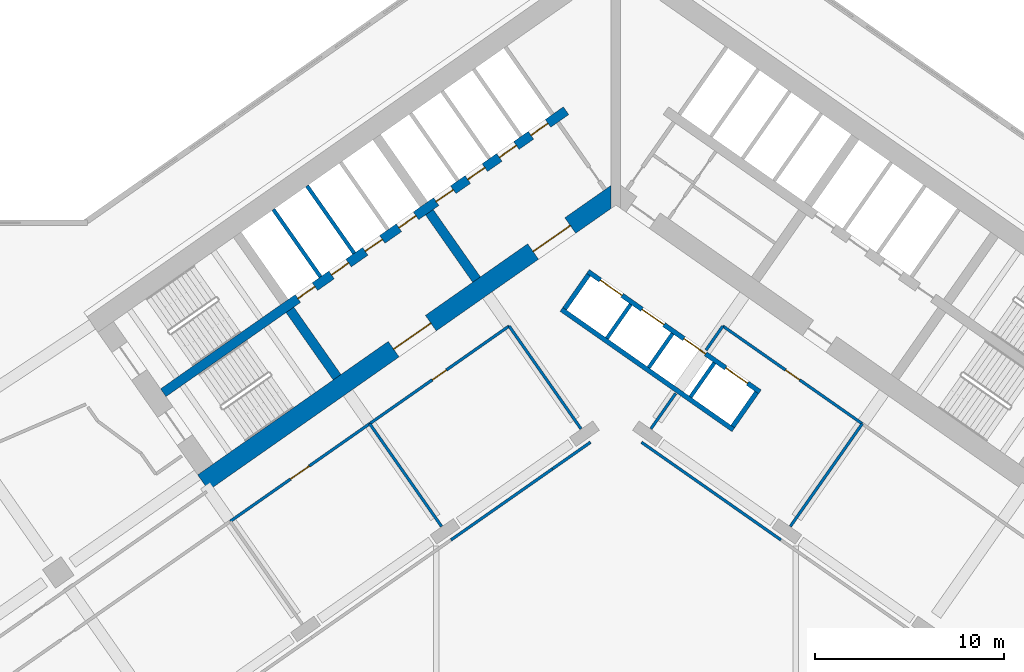
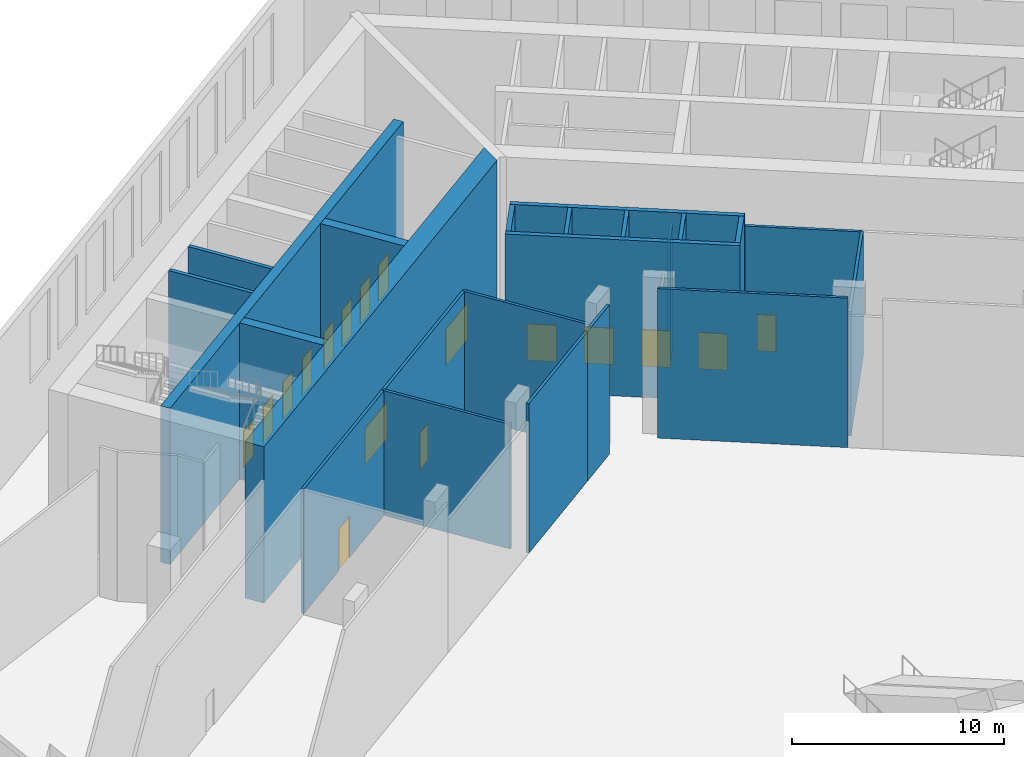
# One storey, part 10 of 27: 24 walls, 17 doors, 17 openings.
"""IFC4 building model written with IfcOpenShell, lengths in metres."""

from ifc_helpers import new_model, si_unit, direction, frame, frame_2d, origin, place, context, subcontext, project, spatial, polyline, rectangle, outline, extrude, material, layer, layer_set, type_object, element, fill, save


model = new_model("IFC4")

# Units and contexts
model_context = context("Model", 3, precision=1e-05, world=origin(), true_north=direction((0.0, 1.0)))
body_context = subcontext(model_context, "Body", "Model", "MODEL_VIEW")
ifc_project = project(units=[si_unit("LENGTHUNIT", "METRE"), si_unit("AREAUNIT", "SQUARE_METRE"), si_unit("VOLUMEUNIT", "CUBIC_METRE"), si_unit("PLANEANGLEUNIT", "RADIAN"), si_unit("MASSUNIT", "GRAM", prefix="KILO")], contexts=[model_context])

# Site, building, storey
site_placement = place(None, origin())
site = spatial("IfcSite", under=ifc_project, at=site_placement, CompositionType="ELEMENT")
building_placement = place(site_placement, origin())
building = spatial("IfcBuilding", under=site, at=building_placement, Name="Tel Ilan Convention Tower", CompositionType="ELEMENT")
storey_placement = place(building_placement, frame((0.0, 0.0, 9.0)))
storey = spatial("IfcBuildingStorey", under=building, at=storey_placement, Name="L01", CompositionType="ELEMENT", Elevation=9.0)

# Wall, openings, doors
ifc_material_1 = material(Name="Concrete C60/75", Category="concrete")
ifc_layer_1 = layer(ifc_material_1, 1.0)
ifc_layer_set_1 = layer_set([ifc_layer_1], Name="Core Shear Wall 1000 mm C60/75")
wall_type_1 = type_object("IfcWallType", Name="Core Shear Wall 1000 mm C60/75", PredefinedType="SHEAR", material=ifc_layer_set_1)
wall_1_placement = place(storey_placement, frame((0.036865234375, -0.584716796875, 0.0), z_axis=(0.0, 0.0, 1.0), x_axis=(-0.819157152511, -0.573569140985, 0.0)))
wall_1 = element("IfcWall", 1, at=wall_1_placement, inside=storey, type_object=wall_type_1, Name="L01 core wall W-front", PredefinedType="SHEAR", context=body_context, shape_type="SweptSolid", body=[
    extrude(outline(polyline([(26.69482421875, 0.500244140625), (0.7001953125, 0.499755859375), (0.0, -0.5), (26.69482421875, -0.499755859375), (26.69482421875, 0.500244140625)])), origin(), (0.0, 0.0, 1.0), 9.0),
])
opening_1_placement = place(wall_1_placement, frame((2.994873046875, 0.0, 0.0)))
opening_1 = element("IfcOpeningElement", 2, at=opening_1_placement, cuts=wall_1, Name="Opening CD0405", PredefinedType="OPENING", context=body_context, shape_type="SweptSolid", body=[
    extrude(rectangle(XDim=2.39990234375, YDim=2.10009765625, at=frame_2d((1.199951171875, 1.050048828125))), frame((0.0, 0.510009765625, 0.0), z_axis=(0.0, -1.0, 0.0), x_axis=(1.0, 0.0, 0.0)), (0.0, 0.0, 1.0), 1.02001953125),
])
opening_2_placement = place(wall_1_placement, frame((11.994873046875, 0.0, 0.0)))
opening_2 = element("IfcOpeningElement", 3, at=opening_2_placement, cuts=wall_1, Name="Opening CD0406", PredefinedType="OPENING", context=body_context, shape_type="SweptSolid", body=[
    extrude(rectangle(XDim=2.39990234375, YDim=2.10009765625, at=frame_2d((1.199951171875, 1.050048828125))), frame((0.0, 0.510009765625, 0.0), z_axis=(0.0, -1.0, 0.0), x_axis=(1.0, 0.0, 0.0)), (0.0, 0.0, 1.0), 1.02001953125),
])
ifc_material_2 = material(Name="Glazed Aluminium Door Leaf", Category="aluminium")
door_type_1 = type_object("IfcDoorType", Name="Lobby Opening Door 2400 x 2100 FD60S", OperationType="NOTDEFINED", PredefinedType="DOOR", material=ifc_material_2)
door_1_placement = place(opening_1_placement, origin())
door_1 = element("IfcDoor", 4, at=door_1_placement, inside=storey, type_object=door_type_1, Name="Lift Lobby LR1-LR4 opening", OperationType="DOUBLE_DOOR_SINGLE_SWING", OverallHeight=2.10009765625, OverallWidth=2.39990234375, PredefinedType="DOOR", context=body_context, shape_type="SweptSolid", body=[
    extrude(rectangle(XDim=2.39990234375, YDim=2.10009765625, at=frame_2d((1.199951171875, 1.050048828125))), frame((0.0, 0.02490234375, 0.0), z_axis=(0.0, -1.0, 0.0), x_axis=(1.0, 0.0, 0.0)), (0.0, 0.0, 1.0), 0.050048828125),
])
fill(opening_1, door_1)
door_2_placement = place(opening_2_placement, origin())
door_2 = element("IfcDoor", 5, at=door_2_placement, inside=storey, type_object=door_type_1, Name="Lift Lobby LR5-LR8 opening", OperationType="DOUBLE_DOOR_SINGLE_SWING", OverallHeight=2.10009765625, OverallWidth=2.39990234375, PredefinedType="DOOR", context=body_context, shape_type="SweptSolid", body=[
    extrude(rectangle(XDim=2.39990234375, YDim=2.10009765625, at=frame_2d((1.199951171875, 1.050048828125))), frame((0.0, 0.02490234375, 0.0), z_axis=(0.0, -1.0, 0.0), x_axis=(1.0, 0.0, 0.0)), (0.0, 0.0, 1.0), 0.050048828125),
])
fill(opening_2, door_2)

# Walls
ifc_material_3 = material(Name="Concrete C60/75", Category="concrete")
ifc_layer_2 = layer(ifc_material_3, 0.5)
ifc_layer_set_2 = layer_set([ifc_layer_2], Name="Core Shear Wall 500 mm C60/75")
wall_type_2 = type_object("IfcWallType", Name="Core Shear Wall 500 mm C60/75", PredefinedType="SHEAR", material=ifc_layer_set_2)
wall_2_placement = place(storey_placement, frame((-7.372314453125, -5.162109375, 0.0), z_axis=(0.0, 0.0, 1.0), x_axis=(-0.573594173421, 0.819139624372, 0.0)))
element("IfcWall", 6, at=wall_2_placement, inside=storey, type_object=wall_type_2, Name="L01 core wall W-cross1-1", PredefinedType="SHEAR", context=body_context, shape_type="SweptSolid", body=[
    extrude(outline(polyline([(4.349853515625, 0.25), (0.0, 0.250244140625), (0.0, -0.25), (4.349853515625, -0.25), (4.349853515625, 0.25)])), origin(), (0.0, 0.0, 1.0), 9.0),
])
wall_3_placement = place(storey_placement, frame((-14.74462890625, -10.324462890625, 0.0), z_axis=(0.0, 0.0, 1.0), x_axis=(-0.57356780395, 0.819158088694, 0.0)))
element("IfcWall", 7, at=wall_3_placement, inside=storey, type_object=wall_type_2, Name="L01 core wall W-cross2-1", PredefinedType="SHEAR", context=body_context, shape_type="SweptSolid", body=[
    extrude(outline(polyline([(4.35009765625, 0.250244140625), (0.0, 0.25), (0.0, -0.25), (4.35009765625, -0.25), (4.35009765625, 0.250244140625)])), origin(), (0.0, 0.0, 1.0), 9.0),
])

# Wall, openings, doors
wall_4_placement = place(storey_placement, frame((-2.638427734375, 3.76806640625, 0.0), z_axis=(0.0, 0.0, 1.0), x_axis=(-0.819148977158, -0.573580816643, 0.0)))
wall_4 = element("IfcWall", 8, at=wall_4_placement, inside=storey, type_object=wall_type_2, Name="L01 core wall W-spine", PredefinedType="SHEAR", context=body_context, shape_type="SweptSolid", body=[
    extrude(outline(polyline([(26.0, 0.249755859375), (0.0, 0.25), (0.0, -0.25), (26.0, -0.250244140625), (26.0, 0.249755859375)])), origin(), (0.0, 0.0, 1.0), 9.0),
])
opening_3_placement = place(wall_4_placement, frame((1.168701171875, 0.0, 0.0)))
opening_3 = element("IfcOpeningElement", 9, at=opening_3_placement, cuts=wall_4, Name="Opening LD0404", PredefinedType="OPENING", context=body_context, shape_type="SweptSolid", body=[
    extrude(rectangle(XDim=1.10009765625, YDim=2.10009765625, at=frame_2d((0.550048828125, 1.050048828125))), frame((0.0, 0.260009765625, 0.0), z_axis=(0.0, -1.0, 0.0), x_axis=(1.0, 0.0, 0.0)), (0.0, 0.0, 1.0), 0.52001953125),
])
opening_4_placement = place(wall_4_placement, frame((3.206298828125, 0.0, 0.0)))
opening_4 = element("IfcOpeningElement", 10, at=opening_4_placement, cuts=wall_4, Name="Opening LD0405", PredefinedType="OPENING", context=body_context, shape_type="SweptSolid", body=[
    extrude(rectangle(XDim=1.10009765625, YDim=2.10009765625, at=frame_2d((0.550048828125, 1.050048828125))), frame((0.0, 0.260009765625, 0.0), z_axis=(0.0, -1.0, 0.0), x_axis=(1.0, 0.0, 0.0)), (0.0, 0.0, 1.0), 0.52001953125),
])
opening_5_placement = place(wall_4_placement, frame((5.24365234375, 0.0, 0.0)))
opening_5 = element("IfcOpeningElement", 11, at=opening_5_placement, cuts=wall_4, Name="Opening LD0406", PredefinedType="OPENING", context=body_context, shape_type="SweptSolid", body=[
    extrude(rectangle(XDim=1.10009765625, YDim=2.10009765625, at=frame_2d((0.550048828125, 1.050048828125))), frame((0.0, 0.260009765625, 0.0), z_axis=(0.0, -1.0, 0.0), x_axis=(1.0, 0.0, 0.0)), (0.0, 0.0, 1.0), 0.52001953125),
])
opening_6_placement = place(wall_4_placement, frame((7.28125, 0.0, 0.0)))
opening_6 = element("IfcOpeningElement", 12, at=opening_6_placement, cuts=wall_4, Name="Opening LD0407", PredefinedType="OPENING", context=body_context, shape_type="SweptSolid", body=[
    extrude(rectangle(XDim=1.10009765625, YDim=2.10009765625, at=frame_2d((0.550048828125, 1.050048828125))), frame((0.0, 0.260009765625, 0.0), z_axis=(0.0, -1.0, 0.0), x_axis=(1.0, 0.0, 0.0)), (0.0, 0.0, 1.0), 0.52001953125),
])
opening_7_placement = place(wall_4_placement, frame((9.6875, 0.0, 0.0)))
opening_7 = element("IfcOpeningElement", 13, at=opening_7_placement, cuts=wall_4, Name="Opening LD0408", PredefinedType="OPENING", context=body_context, shape_type="SweptSolid", body=[
    extrude(rectangle(XDim=1.10009765625, YDim=2.10009765625, at=frame_2d((0.550048828125, 1.050048828125))), frame((0.0, 0.260009765625, 0.0), z_axis=(0.0, -1.0, 0.0), x_axis=(1.0, 0.0, 0.0)), (0.0, 0.0, 1.0), 0.52001953125),
])
opening_8_placement = place(wall_4_placement, frame((11.862548828125, 0.0, 0.0)))
opening_8 = element("IfcOpeningElement", 14, at=opening_8_placement, cuts=wall_4, Name="Opening LD0409", PredefinedType="OPENING", context=body_context, shape_type="SweptSolid", body=[
    extrude(rectangle(XDim=1.10009765625, YDim=2.10009765625, at=frame_2d((0.550048828125, 1.050048828125))), frame((0.0, 0.260009765625, 0.0), z_axis=(0.0, -1.0, 0.0), x_axis=(1.0, 0.0, 0.0)), (0.0, 0.0, 1.0), 0.52001953125),
])
opening_9_placement = place(wall_4_placement, frame((14.03759765625, 0.0, 0.0)))
opening_9 = element("IfcOpeningElement", 15, at=opening_9_placement, cuts=wall_4, Name="Opening LD0410", PredefinedType="OPENING", context=body_context, shape_type="SweptSolid", body=[
    extrude(rectangle(XDim=1.10009765625, YDim=2.10009765625, at=frame_2d((0.550048828125, 1.050048828125))), frame((0.0, 0.260009765625, 0.0), z_axis=(0.0, -1.0, 0.0), x_axis=(1.0, 0.0, 0.0)), (0.0, 0.0, 1.0), 0.52001953125),
])
opening_10_placement = place(wall_4_placement, frame((16.21240234375, 0.0, 0.0)))
opening_10 = element("IfcOpeningElement", 16, at=opening_10_placement, cuts=wall_4, Name="Opening LD0411", PredefinedType="OPENING", context=body_context, shape_type="SweptSolid", body=[
    extrude(rectangle(XDim=1.10009765625, YDim=2.10009765625, at=frame_2d((0.550048828125, 1.050048828125))), frame((0.0, 0.260009765625, 0.0), z_axis=(0.0, -1.0, 0.0), x_axis=(1.0, 0.0, 0.0)), (0.0, 0.0, 1.0), 0.52001953125),
])
ifc_material_4 = material(Name="Stainless Steel Sliding Door Leaf", Category="steel")
door_type_2 = type_object("IfcDoorType", Name="Lift Landing Door 1100 x 2100 FD120", OperationType="NOTDEFINED", PredefinedType="DOOR", material=ifc_material_4)
door_3_placement = place(opening_3_placement, origin())
door_3 = element("IfcDoor", 17, at=door_3_placement, inside=storey, type_object=door_type_2, Name="Lift LR1 landing door", OperationType="SLIDING_TO_LEFT", OverallHeight=2.10009765625, OverallWidth=1.10009765625, PredefinedType="DOOR", context=body_context, shape_type="SweptSolid", body=[
    extrude(rectangle(XDim=1.10009765625, YDim=2.10009765625, at=frame_2d((0.550048828125, 1.050048828125))), frame((0.0, 0.02490234375, 0.0), z_axis=(0.0, -1.0, 0.0), x_axis=(1.0, 0.0, 0.0)), (0.0, 0.0, 1.0), 0.050048828125),
])
fill(opening_3, door_3)
door_4_placement = place(opening_4_placement, origin())
door_4 = element("IfcDoor", 18, at=door_4_placement, inside=storey, type_object=door_type_2, Name="Lift LR2 landing door", OperationType="SLIDING_TO_RIGHT", OverallHeight=2.10009765625, OverallWidth=1.10009765625, PredefinedType="DOOR", context=body_context, shape_type="SweptSolid", body=[
    extrude(rectangle(XDim=1.10009765625, YDim=2.10009765625, at=frame_2d((0.550048828125, 1.050048828125))), frame((0.0, 0.02490234375, 0.0), z_axis=(0.0, -1.0, 0.0), x_axis=(1.0, 0.0, 0.0)), (0.0, 0.0, 1.0), 0.050048828125),
])
fill(opening_4, door_4)
door_5_placement = place(opening_5_placement, origin())
door_5 = element("IfcDoor", 19, at=door_5_placement, inside=storey, type_object=door_type_2, Name="Lift LR3 landing door", OperationType="SLIDING_TO_LEFT", OverallHeight=2.10009765625, OverallWidth=1.10009765625, PredefinedType="DOOR", context=body_context, shape_type="SweptSolid", body=[
    extrude(rectangle(XDim=1.10009765625, YDim=2.10009765625, at=frame_2d((0.550048828125, 1.050048828125))), frame((0.0, 0.02490234375, 0.0), z_axis=(0.0, -1.0, 0.0), x_axis=(1.0, 0.0, 0.0)), (0.0, 0.0, 1.0), 0.050048828125),
])
fill(opening_5, door_5)
door_6_placement = place(opening_6_placement, origin())
door_6 = element("IfcDoor", 20, at=door_6_placement, inside=storey, type_object=door_type_2, Name="Lift LR4 landing door", OperationType="SLIDING_TO_RIGHT", OverallHeight=2.10009765625, OverallWidth=1.10009765625, PredefinedType="DOOR", context=body_context, shape_type="SweptSolid", body=[
    extrude(rectangle(XDim=1.10009765625, YDim=2.10009765625, at=frame_2d((0.550048828125, 1.050048828125))), frame((0.0, 0.02490234375, 0.0), z_axis=(0.0, -1.0, 0.0), x_axis=(1.0, 0.0, 0.0)), (0.0, 0.0, 1.0), 0.050048828125),
])
fill(opening_6, door_6)
door_7_placement = place(opening_7_placement, origin())
door_7 = element("IfcDoor", 21, at=door_7_placement, inside=storey, type_object=door_type_2, Name="Lift LR5 landing door", OperationType="SLIDING_TO_LEFT", OverallHeight=2.10009765625, OverallWidth=1.10009765625, PredefinedType="DOOR", context=body_context, shape_type="SweptSolid", body=[
    extrude(rectangle(XDim=1.10009765625, YDim=2.10009765625, at=frame_2d((0.550048828125, 1.050048828125))), frame((0.0, 0.02490234375, 0.0), z_axis=(0.0, -1.0, 0.0), x_axis=(1.0, 0.0, 0.0)), (0.0, 0.0, 1.0), 0.050048828125),
])
fill(opening_7, door_7)
door_8_placement = place(opening_8_placement, origin())
door_8 = element("IfcDoor", 22, at=door_8_placement, inside=storey, type_object=door_type_2, Name="Lift LR6 landing door", OperationType="SLIDING_TO_RIGHT", OverallHeight=2.10009765625, OverallWidth=1.10009765625, PredefinedType="DOOR", context=body_context, shape_type="SweptSolid", body=[
    extrude(rectangle(XDim=1.10009765625, YDim=2.10009765625, at=frame_2d((0.550048828125, 1.050048828125))), frame((0.0, 0.02490234375, 0.0), z_axis=(0.0, -1.0, 0.0), x_axis=(1.0, 0.0, 0.0)), (0.0, 0.0, 1.0), 0.050048828125),
])
fill(opening_8, door_8)
door_9_placement = place(opening_9_placement, origin())
door_9 = element("IfcDoor", 23, at=door_9_placement, inside=storey, type_object=door_type_2, Name="Lift LR7 landing door", OperationType="SLIDING_TO_LEFT", OverallHeight=2.10009765625, OverallWidth=1.10009765625, PredefinedType="DOOR", context=body_context, shape_type="SweptSolid", body=[
    extrude(rectangle(XDim=1.10009765625, YDim=2.10009765625, at=frame_2d((0.550048828125, 1.050048828125))), frame((0.0, 0.02490234375, 0.0), z_axis=(0.0, -1.0, 0.0), x_axis=(1.0, 0.0, 0.0)), (0.0, 0.0, 1.0), 0.050048828125),
])
fill(opening_9, door_9)
door_10_placement = place(opening_10_placement, origin())
door_10 = element("IfcDoor", 24, at=door_10_placement, inside=storey, type_object=door_type_2, Name="Lift LR8 landing door", OperationType="SLIDING_TO_RIGHT", OverallHeight=2.10009765625, OverallWidth=1.10009765625, PredefinedType="DOOR", context=body_context, shape_type="SweptSolid", body=[
    extrude(rectangle(XDim=1.10009765625, YDim=2.10009765625, at=frame_2d((0.550048828125, 1.050048828125))), frame((0.0, 0.02490234375, 0.0), z_axis=(0.0, -1.0, 0.0), x_axis=(1.0, 0.0, 0.0)), (0.0, 0.0, 1.0), 0.050048828125),
])
fill(opening_10, door_10)

# Wall, opening, door
ifc_material_5 = material(Name="Plasterboard on Steel Studs", Category="steel")
ifc_layer_3 = layer(ifc_material_5, 0.14990234375)
ifc_layer_set_3 = layer_set([ifc_layer_3], Name="Fire-rated Partition 150 EI 60")
wall_type_3 = type_object("IfcWallType", Name="Fire-rated Partition 150 EI 60", PredefinedType="PARTITIONING", material=ifc_layer_set_3)
wall_5_placement = place(storey_placement, frame((13.025634765625, -12.782958984375, 0.0), z_axis=(0.0, 0.0, 1.0), x_axis=(-0.81915291695, 0.57357519006, 0.0)))
wall_5 = element("IfcWall", 25, at=wall_5_placement, inside=storey, type_object=wall_type_3, Name="Partition 002", PredefinedType="PARTITIONING", context=body_context, shape_type="SweptSolid", body=[
    extrude(rectangle(XDim=9.001953125, YDim=0.14990234375, at=frame_2d((4.5009765625, 0.0))), origin(), (0.0, 0.0, 1.0), 7.179931640625),
])
opening_11_placement = place(wall_5_placement, frame((4.051025390625, 0.0, 0.0)))
opening_11 = element("IfcOpeningElement", 26, at=opening_11_placement, cuts=wall_5, Name="Opening L01-005", PredefinedType="OPENING", context=body_context, shape_type="SweptSolid", body=[
    extrude(rectangle(XDim=0.89990234375, YDim=2.10009765625, at=frame_2d((0.449951171875, 1.050048828125))), frame((0.0, 0.0849609375, 0.0), z_axis=(0.0, -1.0, 0.0), x_axis=(1.0, 0.0, 0.0)), (0.0, 0.0, 1.0), 0.169921875),
])
ifc_material_6 = material(Name="Timber Door Leaf in Steel Frame", Category="steel")
door_type_3 = type_object("IfcDoorType", Name="Room Fire Door 900x2100", OperationType="NOTDEFINED", PredefinedType="DOOR", material=ifc_material_6)
door_11_placement = place(opening_11_placement, origin())
door_11 = element("IfcDoor", 27, at=door_11_placement, inside=storey, type_object=door_type_3, Name="Door L01-005", OperationType="SINGLE_SWING_RIGHT", OverallHeight=2.10009765625, OverallWidth=0.89990234375, PredefinedType="DOOR", context=body_context, shape_type="SweptSolid", body=[
    extrude(rectangle(XDim=0.89990234375, YDim=2.10009765625, at=frame_2d((0.449951171875, 1.050048828125))), frame((0.0, 0.02490234375, 0.0), z_axis=(0.0, -1.0, 0.0), x_axis=(1.0, 0.0, 0.0)), (0.0, 0.0, 1.0), 0.050048828125),
])
fill(opening_11, door_11)

wall_6_placement = place(storey_placement, frame((-5.651611328125, -7.61962890625, 0.0), z_axis=(0.0, 0.0, 1.0), x_axis=(-0.81915291695, -0.57357519006, 0.0)))
wall_6 = element("IfcWall", 28, at=wall_6_placement, inside=storey, type_object=wall_type_3, Name="Partition 005", PredefinedType="PARTITIONING", context=body_context, shape_type="SweptSolid", body=[
    extrude(rectangle(XDim=9.001953125, YDim=0.14990234375, at=frame_2d((4.5009765625, 0.0))), origin(), (0.0, 0.0, 1.0), 7.179931640625),
])
opening_12_placement = place(wall_6_placement, frame((4.051025390625, 0.0, 0.0)))
opening_12 = element("IfcOpeningElement", 29, at=opening_12_placement, cuts=wall_6, Name="Opening L01-001", PredefinedType="OPENING", context=body_context, shape_type="SweptSolid", body=[
    extrude(rectangle(XDim=0.89990234375, YDim=2.10009765625, at=frame_2d((0.449951171875, 1.050048828125))), frame((0.0, 0.0849609375, 0.0), z_axis=(0.0, -1.0, 0.0), x_axis=(1.0, 0.0, 0.0)), (0.0, 0.0, 1.0), 0.169921875),
])
door_12_placement = place(opening_12_placement, origin())
door_12 = element("IfcDoor", 30, at=door_12_placement, inside=storey, type_object=door_type_3, Name="Door L01-001", OperationType="SINGLE_SWING_RIGHT", OverallHeight=2.10009765625, OverallWidth=0.89990234375, PredefinedType="DOOR", context=body_context, shape_type="SweptSolid", body=[
    extrude(rectangle(XDim=0.89990234375, YDim=2.10009765625, at=frame_2d((0.449951171875, 1.050048828125))), frame((0.0, 0.02490234375, 0.0), z_axis=(0.0, -1.0, 0.0), x_axis=(1.0, 0.0, 0.0)), (0.0, 0.0, 1.0), 0.050048828125),
])
fill(opening_12, door_12)

wall_7_placement = place(storey_placement, frame((-13.0224609375, -12.78076171875, 0.0), z_axis=(0.0, 0.0, 1.0), x_axis=(-0.819142740634, -0.573589723117, 0.0)))
wall_7 = element("IfcWall", 31, at=wall_7_placement, inside=storey, type_object=wall_type_3, Name="Partition 006", PredefinedType="PARTITIONING", context=body_context, shape_type="SweptSolid", body=[
    extrude(rectangle(XDim=9.00390625, YDim=0.14990234375, at=frame_2d((4.501953125, 0.0))), origin(), (0.0, 0.0, 1.0), 7.179931640625),
])
opening_13_placement = place(wall_7_placement, frame((3.902099609375, 0.0, 0.0)))
opening_13 = element("IfcOpeningElement", 32, at=opening_13_placement, cuts=wall_7, Name="Opening L01-002", PredefinedType="OPENING", context=body_context, shape_type="SweptSolid", body=[
    extrude(rectangle(XDim=1.199951171875, YDim=2.39990234375, at=frame_2d((0.60009765625, 1.199951171875))), frame((0.0, 0.0849609375, 0.0), z_axis=(0.0, -1.0, 0.0), x_axis=(1.0, 0.0, 0.0)), (0.0, 0.0, 1.0), 0.169921875),
])
ifc_material_7 = material(Name="Glazed Aluminium Door", Category="aluminium")
door_type_4 = type_object("IfcDoorType", Name="Glazed Lobby Door 1200x2400", OperationType="NOTDEFINED", PredefinedType="DOOR", material=ifc_material_7)
door_13_placement = place(opening_13_placement, origin())
door_13 = element("IfcDoor", 33, at=door_13_placement, inside=storey, type_object=door_type_4, Name="Door L01-002", OperationType="DOUBLE_DOOR_SINGLE_SWING", OverallHeight=2.39990234375, OverallWidth=1.199951171875, PredefinedType="DOOR", context=body_context, shape_type="SweptSolid", body=[
    extrude(rectangle(XDim=1.199951171875, YDim=2.39990234375, at=frame_2d((0.60009765625, 1.199951171875))), frame((0.0, 0.02490234375, 0.0), z_axis=(0.0, -1.0, 0.0), x_axis=(1.0, 0.0, 0.0)), (0.0, 0.0, 1.0), 0.050048828125),
])
fill(opening_13, door_13)

# Walls
wall_8_placement = place(storey_placement, frame((13.02392578125, -12.78173828125, 0.0), z_axis=(0.0, 0.0, 1.0), x_axis=(-0.573556251799, -0.819166177294, 0.0)))
element("IfcWall", 34, at=wall_8_placement, inside=storey, type_object=wall_type_3, Name="Partition 018", PredefinedType="PARTITIONING", context=body_context, shape_type="SweptSolid", body=[
    extrude(rectangle(XDim=6.630126953125, YDim=0.14990234375, at=frame_2d((3.31494140625, 0.0))), origin(), (0.0, 0.0, 1.0), 7.179931640625),
])
wall_9_placement = place(storey_placement, frame((8.72216796875, -18.925537109375, 0.0), z_axis=(0.0, 0.0, 1.0), x_axis=(-0.819141427692, 0.573591598124, 0.0)))
element("IfcWall", 35, at=wall_9_placement, inside=storey, type_object=wall_type_3, Name="Partition 019", PredefinedType="PARTITIONING", context=body_context, shape_type="SweptSolid", body=[
    extrude(rectangle(XDim=9.0, YDim=0.14990234375, at=frame_2d((4.5, 0.0))), origin(), (0.0, 0.0, 1.0), 8.60009765625),
])
wall_10_placement = place(storey_placement, frame((1.848876953125, -13.050537109375, 0.0), z_axis=(0.0, 0.0, 1.0), x_axis=(0.57358452344, 0.819146381589, 0.0)))
element("IfcWall", 36, at=wall_10_placement, inside=storey, type_object=wall_type_3, Name="Partition 020", PredefinedType="PARTITIONING", context=body_context, shape_type="SweptSolid", body=[
    extrude(rectangle(XDim=2.27978515625, YDim=0.14990234375, at=frame_2d((1.139892578125, 0.0))), origin(), (0.0, 0.0, 1.0), 7.179931640625),
])
wall_11_placement = place(storey_placement, frame((4.7626953125, -8.889404296875, 0.0), z_axis=(0.0, 0.0, 1.0), x_axis=(0.573494057365, 0.819209720504, 0.0)))
element("IfcWall", 37, at=wall_11_placement, inside=storey, type_object=wall_type_3, Name="Partition 021", PredefinedType="PARTITIONING", context=body_context, shape_type="SweptSolid", body=[
    extrude(rectangle(XDim=1.550048828125, YDim=0.14990234375, at=frame_2d((0.77490234375, 0.0))), origin(), (0.0, 0.0, 1.0), 7.179931640625),
])
wall_12_placement = place(storey_placement, frame((-8.722900390625, -18.92724609375, 0.0), z_axis=(0.0, 0.0, 1.0), x_axis=(0.81913387212, 0.573602388024, 0.0)))
element("IfcWall", 38, at=wall_12_placement, inside=storey, type_object=wall_type_3, Name="Partition 034", PredefinedType="PARTITIONING", context=body_context, shape_type="SweptSolid", body=[
    extrude(rectangle(XDim=6.5517578125, YDim=0.14990234375, at=frame_2d((3.27587890625, 0.0))), origin(), (0.0, 0.0, 1.0), 8.60009765625),
])
wall_13_placement = place(storey_placement, frame((-3.355224609375, -15.168701171875, 0.0), z_axis=(0.0, 0.0, 1.0), x_axis=(0.819157023945, 0.573569324599, 0.0)))
element("IfcWall", 39, at=wall_13_placement, inside=storey, type_object=wall_type_3, Name="Partition 062", PredefinedType="PARTITIONING", context=body_context, shape_type="SweptSolid", body=[
    extrude(rectangle(XDim=2.450439453125, YDim=0.14990234375, at=frame_2d((1.22509765625, 0.0))), origin(), (0.0, 0.0, 1.0), 8.60009765625),
])
wall_14_placement = place(storey_placement, frame((-1.848876953125, -13.050537109375, 0.0), z_axis=(0.0, 0.0, 1.0), x_axis=(-0.573575988258, 0.819152358047, 0.0)))
element("IfcWall", 40, at=wall_14_placement, inside=storey, type_object=wall_type_3, Name="Partition 066", PredefinedType="PARTITIONING", context=body_context, shape_type="SweptSolid", body=[
    extrude(rectangle(XDim=6.632080078125, YDim=0.14990234375, at=frame_2d((3.31591796875, 0.0))), origin(), (0.0, 0.0, 1.0), 7.179931640625),
])
wall_15_placement = place(storey_placement, frame((-9.22119140625, -18.212890625, 0.0), z_axis=(0.0, 0.0, 1.0), x_axis=(-0.573556251799, 0.819166177294, 0.0)))
element("IfcWall", 41, at=wall_15_placement, inside=storey, type_object=wall_type_3, Name="Partition 072", PredefinedType="PARTITIONING", context=body_context, shape_type="SweptSolid", body=[
    extrude(rectangle(XDim=6.630126953125, YDim=0.14990234375, at=frame_2d((3.31494140625, 0.0))), origin(), (0.0, 0.0, 1.0), 7.179931640625),
])
ifc_material_8 = material(Name="Concrete C30/37", Category="concrete")
ifc_layer_4 = layer(ifc_material_8, 0.199951171875)
ifc_layer_set_4 = layer_set([ifc_layer_4], Name="Lift Shaft Wall 200 mm C30/37")
wall_type_4 = type_object("IfcWallType", Name="Lift Shaft Wall 200 mm C30/37", PredefinedType="SOLIDWALL", material=ifc_layer_set_4)
wall_16_placement = place(storey_placement, frame((-13.84033203125, -3.7705078125, 0.0), z_axis=(0.0, 0.0, 1.0), x_axis=(-0.57356780395, 0.819158088694, 0.0)))
element("IfcWall", 42, at=wall_16_placement, inside=storey, type_object=wall_type_4, Name="L01 core wall bank-W2-p1", PredefinedType="SOLIDWALL", context=body_context, shape_type="SweptSolid", body=[
    extrude(rectangle(XDim=4.35009765625, YDim=0.199951171875, at=frame_2d((2.175048828125, 0.0))), origin(), (0.0, 0.0, 1.0), 9.0),
])
wall_17_placement = place(storey_placement, frame((-15.6220703125, -5.017822265625, 0.0), z_axis=(0.0, 0.0, 1.0), x_axis=(-0.573594173421, 0.819139624372, 0.0)))
element("IfcWall", 43, at=wall_17_placement, inside=storey, type_object=wall_type_4, Name="L01 core wall bank-W2-p2", PredefinedType="SOLIDWALL", context=body_context, shape_type="SweptSolid", body=[
    extrude(rectangle(XDim=4.349853515625, YDim=0.199951171875, at=frame_2d((2.1748046875, 0.0))), origin(), (0.0, 0.0, 1.0), 9.0),
])
for number, where, z_axis, x_axis, name in (
    (44, (-0.48046875, -8.27001953125, 0.0), (0.0, 0.0, 1.0), (0.573633636671, 0.819111989218, 0.0), "L01 core wall pl-part-0"),
    (45, (1.731201171875, -9.818603515625, 0.0), (0.0, 0.0, 1.0), (0.573633636671, 0.819111989218, 0.0), "L01 core wall pl-part-1"),
    (46, (3.943115234375, -11.367431640625, 0.0), (0.0, 0.0, 1.0), (0.573507030513, 0.819200638399, 0.0), "L01 core wall pl-part-2"),
):
    element("IfcWall", number, at=place(storey_placement, frame(where, z_axis=z_axis, x_axis=x_axis)), inside=storey, type_object=wall_type_4, Name=name, PredefinedType="SOLIDWALL", context=body_context, shape_type="SweptSolid", body=[
        extrude(rectangle(XDim=2.199951171875, YDim=0.199951171875, at=frame_2d((1.10009765625, 0.0))), origin(), (0.0, 0.0, 1.0), 9.0),
    ])
ifc_material_9 = material(Name="Concrete C30/37", Category="concrete")
ifc_layer_5 = layer(ifc_material_9, 0.25)
ifc_layer_set_5 = layer_set([ifc_layer_5], Name="Lift Shaft Wall 250 mm C30/37")
wall_type_5 = type_object("IfcWallType", Name="Lift Shaft Wall 250 mm C30/37", PredefinedType="SOLIDWALL", material=ifc_layer_set_5)
wall_18_placement = place(storey_placement, frame((-2.88671875, -6.73779296875, 0.0), z_axis=(0.0, 0.0, 1.0), x_axis=(0.819150280716, -0.573578954985, 0.0)))
element("IfcWall", 47, at=wall_18_placement, inside=storey, type_object=wall_type_5, Name="L01 core wall pl-back", PredefinedType="SOLIDWALL", context=body_context, shape_type="SweptSolid", body=[
    extrude(rectangle(XDim=11.099853515625, YDim=0.25, at=frame_2d((5.5498046875, 0.0))), origin(), (0.0, 0.0, 1.0), 9.0),
])

# Wall, openings, doors
wall_19_placement = place(storey_placement, frame((-1.4814453125, -4.73095703125, 0.0), z_axis=(0.0, 0.0, 1.0), x_axis=(0.819150280716, -0.573578954985, 0.0)))
wall_19 = element("IfcWall", 48, at=wall_19_placement, inside=storey, type_object=wall_type_5, Name="L01 core wall pl-front", PredefinedType="SOLIDWALL", context=body_context, shape_type="SweptSolid", body=[
    extrude(rectangle(XDim=11.099853515625, YDim=0.25, at=frame_2d((5.5498046875, 0.0))), origin(), (0.0, 0.0, 1.0), 9.0),
])
opening_14_placement = place(wall_19_placement, frame((0.800048828125, 0.0, 0.0)))
opening_14 = element("IfcOpeningElement", 49, at=opening_14_placement, cuts=wall_19, Name="Opening LD0412", PredefinedType="OPENING", context=body_context, shape_type="SweptSolid", body=[
    extrude(rectangle(XDim=1.39990234375, YDim=2.10009765625, at=frame_2d((0.699951171875, 1.050048828125))), frame((0.0, 0.135009765625, 0.0), z_axis=(0.0, -1.0, 0.0), x_axis=(1.0, 0.0, 0.0)), (0.0, 0.0, 1.0), 0.27001953125),
])
opening_15_placement = place(wall_19_placement, frame((3.5, 0.0, 0.0)))
opening_15 = element("IfcOpeningElement", 50, at=opening_15_placement, cuts=wall_19, Name="Opening LD0413", PredefinedType="OPENING", context=body_context, shape_type="SweptSolid", body=[
    extrude(rectangle(XDim=1.39990234375, YDim=2.10009765625, at=frame_2d((0.699951171875, 1.050048828125))), frame((0.0, 0.135009765625, 0.0), z_axis=(0.0, -1.0, 0.0), x_axis=(1.0, 0.0, 0.0)), (0.0, 0.0, 1.0), 0.27001953125),
])
opening_16_placement = place(wall_19_placement, frame((6.199951171875, 0.0, 0.0)))
opening_16 = element("IfcOpeningElement", 51, at=opening_16_placement, cuts=wall_19, Name="Opening LD0414", PredefinedType="OPENING", context=body_context, shape_type="SweptSolid", body=[
    extrude(rectangle(XDim=1.39990234375, YDim=2.10009765625, at=frame_2d((0.699951171875, 1.050048828125))), frame((0.0, 0.135009765625, 0.0), z_axis=(0.0, -1.0, 0.0), x_axis=(1.0, 0.0, 0.0)), (0.0, 0.0, 1.0), 0.27001953125),
])
opening_17_placement = place(wall_19_placement, frame((8.89990234375, 0.0, 0.0)))
opening_17 = element("IfcOpeningElement", 52, at=opening_17_placement, cuts=wall_19, Name="Opening LD0415", PredefinedType="OPENING", context=body_context, shape_type="SweptSolid", body=[
    extrude(rectangle(XDim=1.39990234375, YDim=2.10009765625, at=frame_2d((0.699951171875, 1.050048828125))), frame((0.0, 0.135009765625, 0.0), z_axis=(0.0, -1.0, 0.0), x_axis=(1.0, 0.0, 0.0)), (0.0, 0.0, 1.0), 0.27001953125),
])
ifc_material_10 = material(Name="Stainless Steel Sliding Door Leaf", Category="steel")
door_type_5 = type_object("IfcDoorType", Name="Lift Landing Door 1400 x 2100 FD120", OperationType="NOTDEFINED", PredefinedType="DOOR", material=ifc_material_10)
door_14_placement = place(opening_14_placement, origin())
door_14 = element("IfcDoor", 53, at=door_14_placement, inside=storey, type_object=door_type_5, Name="Lift PL1 landing door", OperationType="SLIDING_TO_LEFT", OverallHeight=2.10009765625, OverallWidth=1.39990234375, PredefinedType="DOOR", context=body_context, shape_type="SweptSolid", body=[
    extrude(rectangle(XDim=1.39990234375, YDim=2.10009765625, at=frame_2d((0.699951171875, 1.050048828125))), frame((0.0, 0.02490234375, 0.0), z_axis=(0.0, -1.0, 0.0), x_axis=(1.0, 0.0, 0.0)), (0.0, 0.0, 1.0), 0.050048828125),
])
fill(opening_14, door_14)
door_15_placement = place(opening_15_placement, origin())
door_15 = element("IfcDoor", 54, at=door_15_placement, inside=storey, type_object=door_type_5, Name="Lift PL2 landing door", OperationType="SLIDING_TO_RIGHT", OverallHeight=2.10009765625, OverallWidth=1.39990234375, PredefinedType="DOOR", context=body_context, shape_type="SweptSolid", body=[
    extrude(rectangle(XDim=1.39990234375, YDim=2.10009765625, at=frame_2d((0.699951171875, 1.050048828125))), frame((0.0, 0.02490234375, 0.0), z_axis=(0.0, -1.0, 0.0), x_axis=(1.0, 0.0, 0.0)), (0.0, 0.0, 1.0), 0.050048828125),
])
fill(opening_15, door_15)
door_16_placement = place(opening_16_placement, origin())
door_16 = element("IfcDoor", 55, at=door_16_placement, inside=storey, type_object=door_type_5, Name="Lift PL3 landing door", OperationType="SLIDING_TO_LEFT", OverallHeight=2.10009765625, OverallWidth=1.39990234375, PredefinedType="DOOR", context=body_context, shape_type="SweptSolid", body=[
    extrude(rectangle(XDim=1.39990234375, YDim=2.10009765625, at=frame_2d((0.699951171875, 1.050048828125))), frame((0.0, 0.02490234375, 0.0), z_axis=(0.0, -1.0, 0.0), x_axis=(1.0, 0.0, 0.0)), (0.0, 0.0, 1.0), 0.050048828125),
])
fill(opening_16, door_16)
door_17_placement = place(opening_17_placement, origin())
door_17 = element("IfcDoor", 56, at=door_17_placement, inside=storey, type_object=door_type_5, Name="Lift PL4 landing door", OperationType="SLIDING_TO_RIGHT", OverallHeight=2.10009765625, OverallWidth=1.39990234375, PredefinedType="DOOR", context=body_context, shape_type="SweptSolid", body=[
    extrude(rectangle(XDim=1.39990234375, YDim=2.10009765625, at=frame_2d((0.699951171875, 1.050048828125))), frame((0.0, 0.02490234375, 0.0), z_axis=(0.0, -1.0, 0.0), x_axis=(1.0, 0.0, 0.0)), (0.0, 0.0, 1.0), 0.050048828125),
])
fill(opening_17, door_17)

# Walls
wall_20_placement = place(storey_placement, frame((-2.712646484375, -6.70703125, 0.0), z_axis=(0.0, 0.0, 1.0), x_axis=(0.573581496053, 0.819148501424, 0.0)))
element("IfcWall", 57, at=wall_20_placement, inside=storey, type_object=wall_type_5, Name="L01 core wall pl-end-a", PredefinedType="SOLIDWALL", context=body_context, shape_type="SweptSolid", body=[
    extrude(rectangle(XDim=2.2001953125, YDim=0.25, at=frame_2d((1.10009765625, 0.0))), origin(), (0.0, 0.0, 1.0), 9.0),
])
wall_21_placement = place(storey_placement, frame((6.17529296875, -12.930419921875, 0.0), z_axis=(0.0, 0.0, 1.0), x_axis=(0.573559170999, 0.819164133348, 0.0)))
element("IfcWall", 58, at=wall_21_placement, inside=storey, type_object=wall_type_5, Name="L01 core wall pl-end-b", PredefinedType="SOLIDWALL", context=body_context, shape_type="SweptSolid", body=[
    extrude(rectangle(XDim=2.19970703125, YDim=0.25, at=frame_2d((1.099853515625, 0.0))), origin(), (0.0, 0.0, 1.0), 9.0),
])

save(model, "model.ifc")
